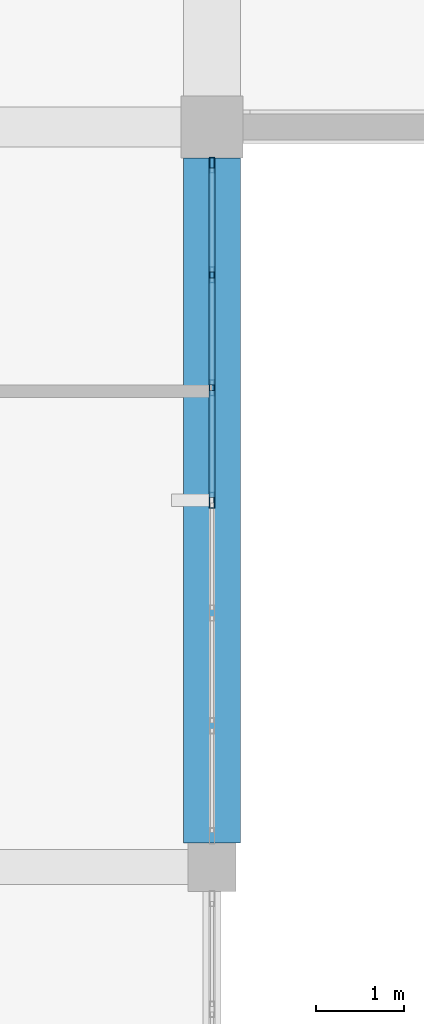
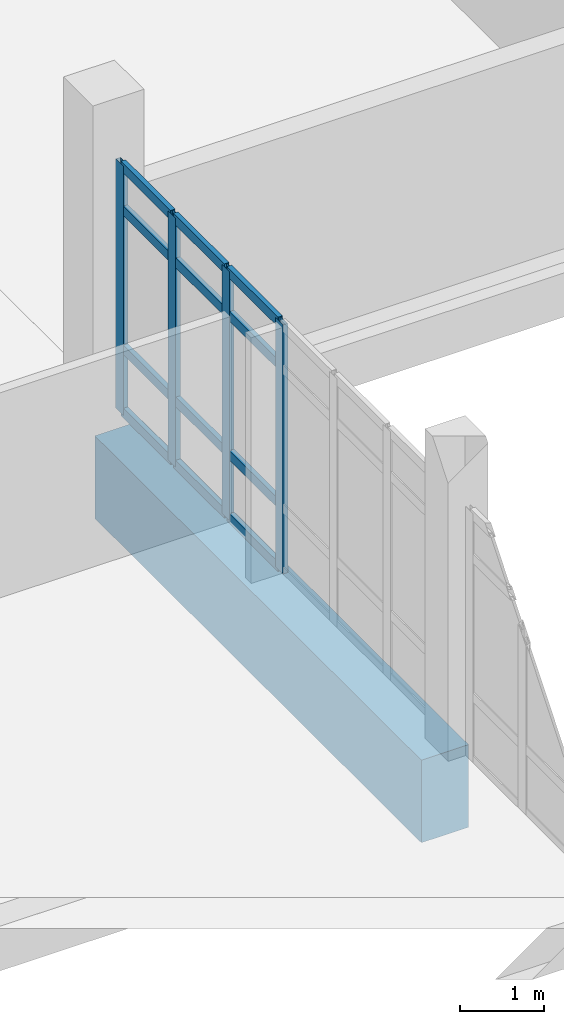
# One storey, part 23 of 57: 16 members, 1 beam, 1 element without a shape of its own.
"""IFC4 building model written with IfcOpenShell, lengths in metres."""

from ifc_helpers import new_model, si_unit, direction, frame, origin, origin_2d, place, context, subcontext, project, spatial, rectangle, hollow_rectangle, extrude, material, material_profile, profile_set, type_object, element, aggregate, save


model = new_model("IFC4")

# Units and contexts
model_context = context("Model", 3, precision=1e-05, world=origin(), true_north=direction((0.0, 1.0)))
body_context = subcontext(model_context, "Body", "Model", "MODEL_VIEW")
ifc_project = project(units=[si_unit("LENGTHUNIT", "METRE"), si_unit("AREAUNIT", "SQUARE_METRE"), si_unit("VOLUMEUNIT", "CUBIC_METRE"), si_unit("PLANEANGLEUNIT", "RADIAN"), si_unit("MASSUNIT", "GRAM", prefix="KILO")], contexts=[model_context])

# Site, building, storey
site_placement = place(None, origin())
site = spatial("IfcSite", under=ifc_project, at=site_placement, CompositionType="ELEMENT")
building_placement = place(site_placement, origin())
building = spatial("IfcBuilding", under=site, at=building_placement, Name="Kalluvel Institute of Natural Sciences", CompositionType="ELEMENT")
storey_placement = place(building_placement, frame((0.0, 0.0, 23.39990234375)))
storey = spatial("IfcBuildingStorey", under=building, at=storey_placement, Name="L05", CompositionType="ELEMENT", Elevation=23.39990234375)

# Beam
ifc_material_1 = material(Name="Concrete M50", Category="concrete")
ifc_material_profile_1 = material_profile(ifc_material_1, rectangle(XDim=0.64990234375, YDim=1.199951171875, at=origin_2d()), Name="RCB 650x1200")
ifc_profile_set_1 = profile_set([ifc_material_profile_1], Name="Concrete M50")
beam_type = type_object("IfcBeamType", Name="BM-RC650x1200", PredefinedType="BEAM", material=ifc_profile_set_1)
beam_placement = place(storey_placement, frame((35.60009765625, 86.27490234375, -0.89990234375), z_axis=(0.0, 1.0, 0.0), x_axis=(-1.0, 0.0, 0.0)))
element("IfcBeam", 1, at=beam_placement, inside=storey, type_object=beam_type, Name="L05 girder GIR-L05-NS-X356-Y860", PredefinedType="BEAM", context=body_context, shape_type="SweptSolid", body=[
    extrude(rectangle(XDim=0.64990234375, YDim=1.199951171875, at=origin_2d()), origin(), (0.0, 0.0, 1.0), 7.775146484375),
])

# Curtain wall, members
ifc_material_2 = material(Name="Aluminium AW-6063 T6", Category="aluminium")
curtain_wall_type = type_object("IfcCurtainWallType", Name="CW-DRY-45", PredefinedType="USERDEFINED", material=ifc_material_2)
curtain_wall_placement = place(storey_placement, origin())
curtain_wall = element("IfcCurtainWall", 2, at=curtain_wall_placement, inside=storey, type_object=curtain_wall_type, Name="L05 Gothic lancet curtain wall CWA-L05-X356-Y863", ObjectType="UNITISED LANCET FACADE", PredefinedType="USERDEFINED")
ifc_material_profile_2 = material_profile(ifc_material_2, hollow_rectangle(XDim=0.06494140625, YDim=0.179931640625, WallThickness=0.00439453125, at=origin_2d()), Name="CWM 65x180")
ifc_profile_set_2 = profile_set([ifc_material_profile_2], Name="Aluminium AW-6063 T6")
member_type_1 = type_object("IfcMemberType", Name="CWM-65x180", PredefinedType="MULLION", material=ifc_profile_set_2)
member_1_placement = place(storey_placement, frame((35.60009765625, 90.16259765625, 0.0), z_axis=(0.0, 0.0, 1.0), x_axis=(-1.0, 0.0, 0.0)))
member_1 = element("IfcMember", 3, at=member_1_placement, type_object=member_type_1, Name="CW-03 mullion 4", PredefinedType="MULLION", context=body_context, shape_type="SweptSolid", body=[
    extrude(hollow_rectangle(XDim=0.06494140625, YDim=0.179931640625, WallThickness=0.00439453125, at=origin_2d()), origin(), (0.0, 0.0, 1.0), 3.6201171875),
])
member_2_placement = place(storey_placement, frame((35.60009765625, 91.441650390625, 0.0), z_axis=(0.0, 0.0, 1.0), x_axis=(-1.0, 0.0, 0.0)))
member_2 = element("IfcMember", 4, at=member_2_placement, type_object=member_type_1, Name="CW-03 mullion 5", PredefinedType="MULLION", context=body_context, shape_type="SweptSolid", body=[
    extrude(hollow_rectangle(XDim=0.06494140625, YDim=0.179931640625, WallThickness=0.00439453125, at=origin_2d()), origin(), (0.0, 0.0, 1.0), 3.6201171875),
])
member_3_placement = place(storey_placement, frame((35.60009765625, 92.720947265625, 0.0), z_axis=(0.0, 0.0, 1.0), x_axis=(-1.0, 0.0, 0.0)))
member_3 = element("IfcMember", 5, at=member_3_placement, type_object=member_type_1, Name="CW-03 mullion 6", PredefinedType="MULLION", context=body_context, shape_type="SweptSolid", body=[
    extrude(hollow_rectangle(XDim=0.06494140625, YDim=0.179931640625, WallThickness=0.00439453125, at=origin_2d()), origin(), (0.0, 0.0, 1.0), 3.6201171875),
])
member_4_placement = place(storey_placement, frame((35.60009765625, 93.967529296875, 0.0), z_axis=(0.0, 0.0, 1.0), x_axis=(-1.0, 0.0, 0.0)))
member_4 = element("IfcMember", 6, at=member_4_placement, type_object=member_type_1, Name="CW-03 mullion 7", PredefinedType="MULLION", context=body_context, shape_type="SweptSolid", body=[
    extrude(hollow_rectangle(XDim=0.06494140625, YDim=0.179931640625, WallThickness=0.00439453125, at=origin_2d()), origin(), (0.0, 0.0, 1.0), 3.6201171875),
])
ifc_material_profile_3 = material_profile(ifc_material_2, hollow_rectangle(XDim=0.06494140625, YDim=0.139892578125, WallThickness=0.00439453125, at=origin_2d()), Name="CWT 65x140")
ifc_profile_set_3 = profile_set([ifc_material_profile_3], Name="Aluminium AW-6063 T6")
member_type_2 = type_object("IfcMemberType", Name="CWT-65x140", PredefinedType="USERDEFINED", material=ifc_profile_set_3)
member_5_placement = place(storey_placement, frame((35.60009765625, 90.195068359375, 0.03271484375), z_axis=(0.0, 1.0, 0.0), x_axis=(-1.0, 0.0, 0.0)))
member_5 = element("IfcMember", 7, at=member_5_placement, type_object=member_type_2, Name="CW-03 transom 4.1", ObjectType="TRANSOM", PredefinedType="USERDEFINED", context=body_context, shape_type="SweptSolid", body=[
    extrude(hollow_rectangle(XDim=0.06494140625, YDim=0.139892578125, WallThickness=0.00439453125, at=origin_2d()), origin(), (0.0, 0.0, 1.0), 1.214111328125),
])
member_6_placement = place(storey_placement, frame((35.60009765625, 90.195068359375, 0.9501953125), z_axis=(0.0, 1.0, 0.0), x_axis=(-1.0, 0.0, 0.0)))
member_6 = element("IfcMember", 8, at=member_6_placement, type_object=member_type_2, Name="CW-03 transom 4.2", ObjectType="TRANSOM", PredefinedType="USERDEFINED", context=body_context, shape_type="SweptSolid", body=[
    extrude(hollow_rectangle(XDim=0.06494140625, YDim=0.139892578125, WallThickness=0.00439453125, at=origin_2d()), origin(), (0.0, 0.0, 1.0), 1.214111328125),
])
member_7_placement = place(storey_placement, frame((35.60009765625, 90.195068359375, 2.97021484375), z_axis=(0.0, 1.0, 0.0), x_axis=(-1.0, 0.0, 0.0)))
member_7 = element("IfcMember", 9, at=member_7_placement, type_object=member_type_2, Name="CW-03 transom 4.3", ObjectType="TRANSOM", PredefinedType="USERDEFINED", context=body_context, shape_type="SweptSolid", body=[
    extrude(hollow_rectangle(XDim=0.06494140625, YDim=0.139892578125, WallThickness=0.00439453125, at=origin_2d()), origin(), (0.0, 0.0, 1.0), 1.214111328125),
])
member_8_placement = place(storey_placement, frame((35.60009765625, 90.195068359375, 3.587646484375), z_axis=(0.0, 1.0, 0.0), x_axis=(-1.0, 0.0, 0.0)))
member_8 = element("IfcMember", 10, at=member_8_placement, type_object=member_type_2, Name="CW-03 transom 4.4", ObjectType="TRANSOM", PredefinedType="USERDEFINED", context=body_context, shape_type="SweptSolid", body=[
    extrude(hollow_rectangle(XDim=0.06494140625, YDim=0.139892578125, WallThickness=0.00439453125, at=origin_2d()), origin(), (0.0, 0.0, 1.0), 1.214111328125),
])
member_9_placement = place(storey_placement, frame((35.60009765625, 91.47412109375, 0.03271484375), z_axis=(0.0, 1.0, 0.0), x_axis=(-1.0, 0.0, 0.0)))
member_9 = element("IfcMember", 11, at=member_9_placement, type_object=member_type_2, Name="CW-03 transom 5.1", ObjectType="TRANSOM", PredefinedType="USERDEFINED", context=body_context, shape_type="SweptSolid", body=[
    extrude(hollow_rectangle(XDim=0.06494140625, YDim=0.139892578125, WallThickness=0.00439453125, at=origin_2d()), origin(), (0.0, 0.0, 1.0), 1.214111328125),
])
member_10_placement = place(storey_placement, frame((35.60009765625, 91.47412109375, 0.9501953125), z_axis=(0.0, 1.0, 0.0), x_axis=(-1.0, 0.0, 0.0)))
member_10 = element("IfcMember", 12, at=member_10_placement, type_object=member_type_2, Name="CW-03 transom 5.2", ObjectType="TRANSOM", PredefinedType="USERDEFINED", context=body_context, shape_type="SweptSolid", body=[
    extrude(hollow_rectangle(XDim=0.06494140625, YDim=0.139892578125, WallThickness=0.00439453125, at=origin_2d()), origin(), (0.0, 0.0, 1.0), 1.214111328125),
])
member_11_placement = place(storey_placement, frame((35.60009765625, 91.47412109375, 2.97021484375), z_axis=(0.0, 1.0, 0.0), x_axis=(-1.0, 0.0, 0.0)))
member_11 = element("IfcMember", 13, at=member_11_placement, type_object=member_type_2, Name="CW-03 transom 5.3", ObjectType="TRANSOM", PredefinedType="USERDEFINED", context=body_context, shape_type="SweptSolid", body=[
    extrude(hollow_rectangle(XDim=0.06494140625, YDim=0.139892578125, WallThickness=0.00439453125, at=origin_2d()), origin(), (0.0, 0.0, 1.0), 1.214111328125),
])
member_12_placement = place(storey_placement, frame((35.60009765625, 91.47412109375, 3.587646484375), z_axis=(0.0, 1.0, 0.0), x_axis=(-1.0, 0.0, 0.0)))
member_12 = element("IfcMember", 14, at=member_12_placement, type_object=member_type_2, Name="CW-03 transom 5.4", ObjectType="TRANSOM", PredefinedType="USERDEFINED", context=body_context, shape_type="SweptSolid", body=[
    extrude(hollow_rectangle(XDim=0.06494140625, YDim=0.139892578125, WallThickness=0.00439453125, at=origin_2d()), origin(), (0.0, 0.0, 1.0), 1.214111328125),
])
member_13_placement = place(storey_placement, frame((35.60009765625, 92.75341796875, 0.03271484375), z_axis=(0.0, 1.0, 0.0), x_axis=(-1.0, 0.0, 0.0)))
member_13 = element("IfcMember", 15, at=member_13_placement, type_object=member_type_2, Name="CW-03 transom 6.1", ObjectType="TRANSOM", PredefinedType="USERDEFINED", context=body_context, shape_type="SweptSolid", body=[
    extrude(hollow_rectangle(XDim=0.06494140625, YDim=0.139892578125, WallThickness=0.00439453125, at=origin_2d()), origin(), (0.0, 0.0, 1.0), 1.181640625),
])
member_14_placement = place(storey_placement, frame((35.60009765625, 92.75341796875, 0.9501953125), z_axis=(0.0, 1.0, 0.0), x_axis=(-1.0, 0.0, 0.0)))
member_14 = element("IfcMember", 16, at=member_14_placement, type_object=member_type_2, Name="CW-03 transom 6.2", ObjectType="TRANSOM", PredefinedType="USERDEFINED", context=body_context, shape_type="SweptSolid", body=[
    extrude(hollow_rectangle(XDim=0.06494140625, YDim=0.139892578125, WallThickness=0.00439453125, at=origin_2d()), origin(), (0.0, 0.0, 1.0), 1.181640625),
])
member_15_placement = place(storey_placement, frame((35.60009765625, 92.75341796875, 2.97021484375), z_axis=(0.0, 1.0, 0.0), x_axis=(-1.0, 0.0, 0.0)))
member_15 = element("IfcMember", 17, at=member_15_placement, type_object=member_type_2, Name="CW-03 transom 6.3", ObjectType="TRANSOM", PredefinedType="USERDEFINED", context=body_context, shape_type="SweptSolid", body=[
    extrude(hollow_rectangle(XDim=0.06494140625, YDim=0.139892578125, WallThickness=0.00439453125, at=origin_2d()), origin(), (0.0, 0.0, 1.0), 1.181640625),
])
member_16_placement = place(storey_placement, frame((35.60009765625, 92.75341796875, 3.587646484375), z_axis=(0.0, 1.0, 0.0), x_axis=(-1.0, 0.0, 0.0)))
member_16 = element("IfcMember", 18, at=member_16_placement, type_object=member_type_2, Name="CW-03 transom 6.4", ObjectType="TRANSOM", PredefinedType="USERDEFINED", context=body_context, shape_type="SweptSolid", body=[
    extrude(hollow_rectangle(XDim=0.06494140625, YDim=0.139892578125, WallThickness=0.00439453125, at=origin_2d()), origin(), (0.0, 0.0, 1.0), 1.181640625),
])
aggregate(curtain_wall, [member_1, member_2, member_3, member_4, member_5, member_6, member_7, member_8, member_9, member_10, member_11, member_12, member_13, member_14, member_15, member_16])

save(model, "model.ifc")
